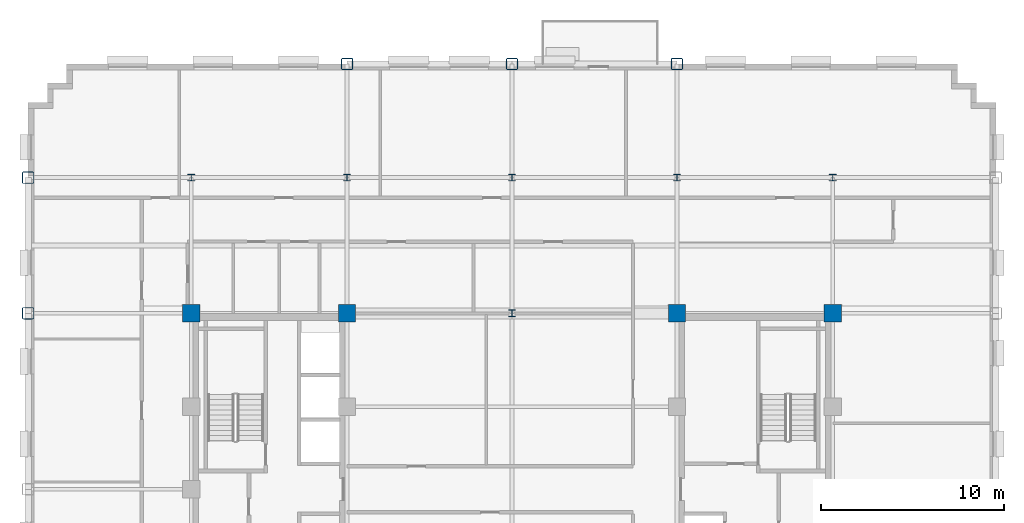
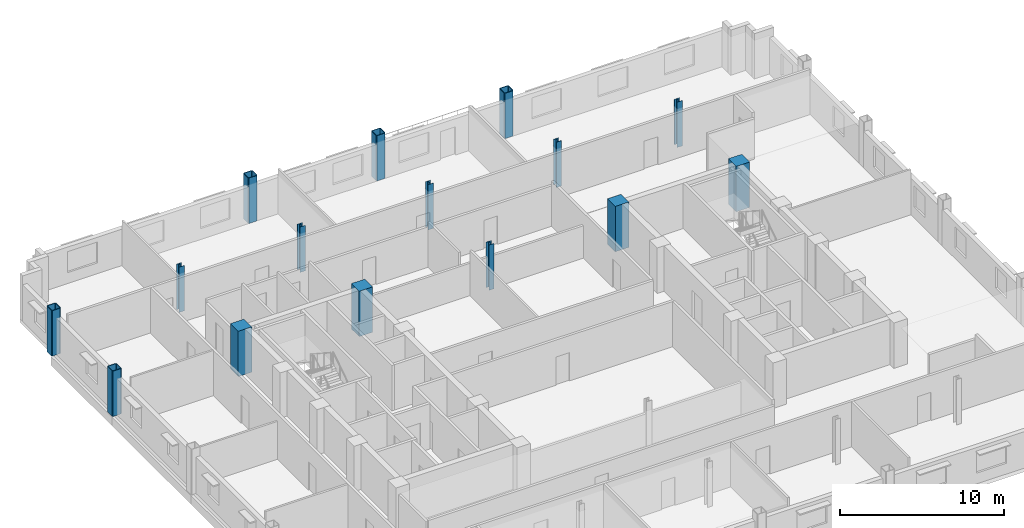
# One storey, part 3 of 14: 15 columns.
"""IFC4 building model written with IfcOpenShell, lengths in metres."""

from ifc_helpers import new_model, si_unit, direction, frame, origin, origin_2d, place, context, subcontext, project, spatial, rectangle, hollow_rectangle, i_section, extrude, material, material_profile, profile_set, type_object, element, save


model = new_model("IFC4")

# Units and contexts
model_context = context("Model", 3, precision=1e-05, world=origin(), true_north=direction((0.0, 1.0)))
body_context = subcontext(model_context, "Body", "Model", "MODEL_VIEW")
ifc_project = project(units=[si_unit("LENGTHUNIT", "METRE"), si_unit("AREAUNIT", "SQUARE_METRE"), si_unit("VOLUMEUNIT", "CUBIC_METRE"), si_unit("PLANEANGLEUNIT", "RADIAN"), si_unit("MASSUNIT", "GRAM", prefix="KILO")], contexts=[model_context])

# Site, building, storey
site_placement = place(None, origin())
site = spatial("IfcSite", under=ifc_project, at=site_placement, CompositionType="ELEMENT")
building_placement = place(site_placement, origin())
building = spatial("IfcBuilding", under=site, at=building_placement, Name="Nuvemarco Arch Tower", CompositionType="ELEMENT")
storey_placement = place(building_placement, frame((0.0, 0.0, 160.35009765625)))
storey = spatial("IfcBuildingStorey", under=building, at=storey_placement, Name="L42", CompositionType="ELEMENT", Elevation=160.35009765625)

# Columns
ifc_material_1 = material(Name="Concrete C50/60", Category="concrete")
ifc_material_profile_1 = material_profile(ifc_material_1, rectangle(XDim=0.949951171875, YDim=0.949951171875, at=origin_2d()), Name="RC-COL-950x950")
ifc_profile_set_1 = profile_set([ifc_material_profile_1], Name="Concrete C50/60")
column_type_1 = type_object("IfcColumnType", Name="COL-CORE-950", PredefinedType="COLUMN", material=ifc_profile_set_1)
for number, where, z_axis, x_axis, name in (
    (1, (-17.5, 9.60009765625, 0.0), (0.0, 0.0, 1.0), (1.0, 0.0, 0.0), "L42 column CC_-17.5_+9.6"),
    (2, (-9.0, 9.60009765625, 0.0), (0.0, 0.0, 1.0), (1.0, 0.0, 0.0), "L42 column CC_-9.0_+9.6"),
    (3, (9.0, 9.60009765625, 0.0), (0.0, 0.0, 1.0), (1.0, 0.0, 0.0), "L42 column CC_+9.0_+9.6"),
    (4, (17.5, 9.60009765625, 0.0), (0.0, 0.0, 1.0), (1.0, 0.0, 0.0), "L42 column CC_+17.5_+9.6"),
):
    element("IfcColumn", number, at=place(storey_placement, frame(where, z_axis=z_axis, x_axis=x_axis)), inside=storey, type_object=column_type_1, Name=name, PredefinedType="COLUMN", context=body_context, shape_type="SweptSolid", body=[
        extrude(rectangle(XDim=0.949951171875, YDim=0.949951171875, at=origin_2d()), origin(), (0.0, 0.0, 1.0), 3.369873046875),
    ])
ifc_material_2 = material(Name="Steel S355", Category="steel")
ifc_material_profile_2 = material_profile(ifc_material_2, hollow_rectangle(XDim=0.64990234375, YDim=0.64990234375, WallThickness=0.0400390625, InnerFilletRadius=0.0400390625, OuterFilletRadius=0.080078125, at=origin_2d()), Name="SHS650x650x40")
ifc_profile_set_2 = profile_set([ifc_material_profile_2], Name="Steel S355")
column_type_2 = type_object("IfcColumnType", Name="COL-EXO-650", PredefinedType="COLUMN", material=ifc_profile_set_2)
for number, where, z_axis, x_axis, name in (
    (5, (-26.39990234375, 9.60009765625, 0.0), (0.0, 0.0, 1.0), (1.0, 0.0, 0.0), "L42 column CX_-26.4_+9.6"),
    (6, (-26.39990234375, 17.0, 0.0), (0.0, 0.0, 1.0), (1.0, 0.0, 0.0), "L42 column CX_-26.4_+17.0"),
    (7, (-9.0, 23.199951171875, 0.0), (0.0, 0.0, 1.0), (1.0, 0.0, 0.0), "L42 column CY_-9.0_+23.2"),
    (8, (0.0, 23.199951171875, 0.0), (0.0, 0.0, 1.0), (1.0, 0.0, 0.0), "L42 column CY_+0.0_+23.2"),
    (9, (9.0, 23.199951171875, 0.0), (0.0, 0.0, 1.0), (1.0, 0.0, 0.0), "L42 column CY_+9.0_+23.2"),
):
    element("IfcColumn", number, at=place(storey_placement, frame(where, z_axis=z_axis, x_axis=x_axis)), inside=storey, type_object=column_type_2, Name=name, PredefinedType="COLUMN", context=body_context, shape_type="SweptSolid", body=[
        extrude(hollow_rectangle(XDim=0.64990234375, YDim=0.64990234375, WallThickness=0.0400390625, InnerFilletRadius=0.0400390625, OuterFilletRadius=0.080078125, at=origin_2d()), origin(), (0.0, 0.0, 1.0), 3.369873046875),
    ])
ifc_material_profile_3 = material_profile(ifc_material_2, i_section(OverallWidth=0.360107421875, OverallDepth=0.360107421875, WebThickness=0.0205078125, FlangeThickness=0.0205078125, FilletRadius=0.01806640625, at=origin_2d()), Name="HP360x174")
ifc_profile_set_3 = profile_set([ifc_material_profile_3], Name="Steel S355")
column_type_3 = type_object("IfcColumnType", Name="COL-STL-HP360", PredefinedType="COLUMN", material=ifc_profile_set_3)
for number, where, z_axis, x_axis, name in (
    (10, (0.0, 9.60009765625, 0.0), (0.0, 0.0, 1.0), (1.0, 0.0, 0.0), "L42 column CI_+0.0_+9.6"),
    (11, (0.0, 17.0, 0.0), (0.0, 0.0, 1.0), (1.0, 0.0, 0.0), "L42 column CI_+0.0_+17.0"),
    (12, (-17.5, 17.0, 0.0), (0.0, 0.0, 1.0), (1.0, 0.0, 0.0), "L42 column CI_-17.5_+17.0"),
    (13, (-9.0, 17.0, 0.0), (0.0, 0.0, 1.0), (1.0, 0.0, 0.0), "L42 column CI_-9.0_+17.0"),
    (14, (9.0, 17.0, 0.0), (0.0, 0.0, 1.0), (1.0, 0.0, 0.0), "L42 column CI_+9.0_+17.0"),
    (15, (17.5, 17.0, 0.0), (0.0, 0.0, 1.0), (1.0, 0.0, 0.0), "L42 column CI_+17.5_+17.0"),
):
    element("IfcColumn", number, at=place(storey_placement, frame(where, z_axis=z_axis, x_axis=x_axis)), inside=storey, type_object=column_type_3, Name=name, PredefinedType="COLUMN", context=body_context, shape_type="SweptSolid", body=[
        extrude(i_section(OverallWidth=0.360107421875, OverallDepth=0.360107421875, WebThickness=0.0205078125, FlangeThickness=0.0205078125, FilletRadius=0.01806640625, at=origin_2d()), origin(), (0.0, 0.0, 1.0), 3.369873046875),
    ])

save(model, "model.ifc")
